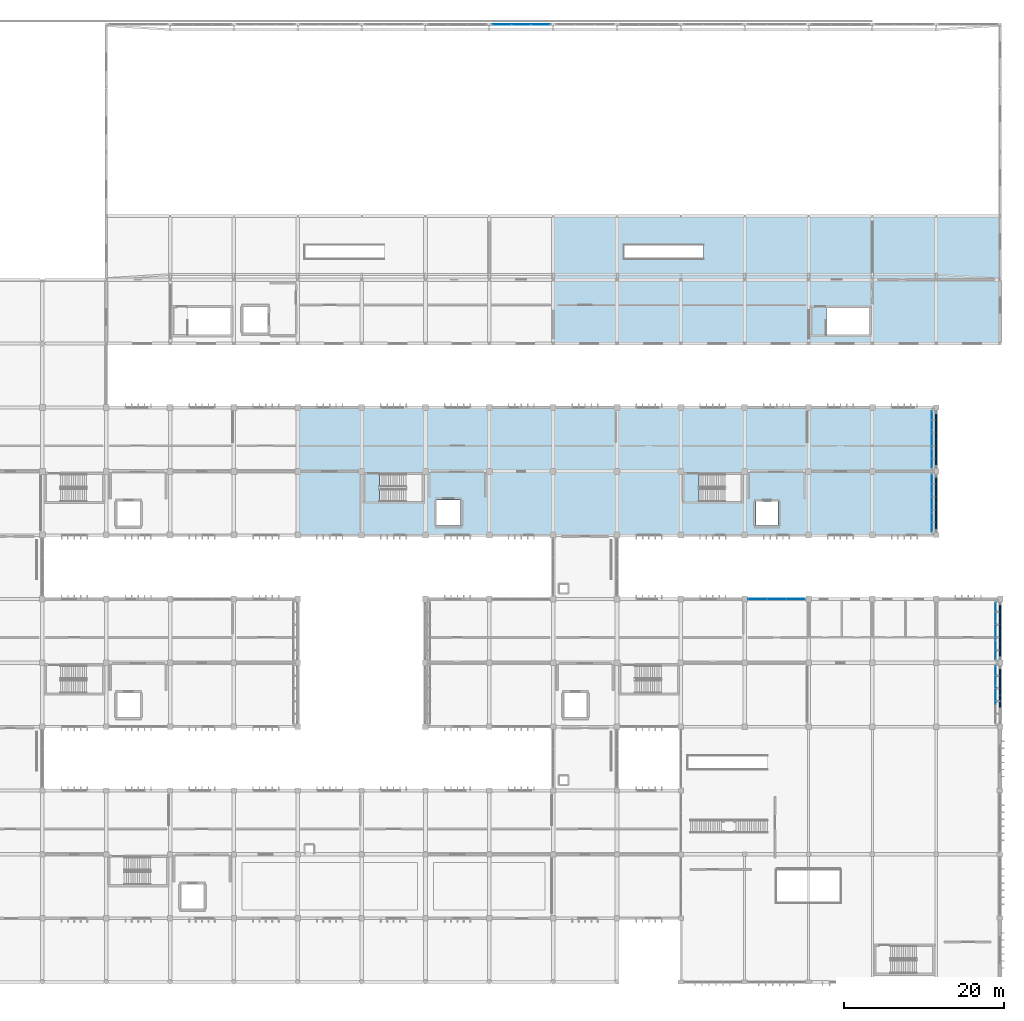
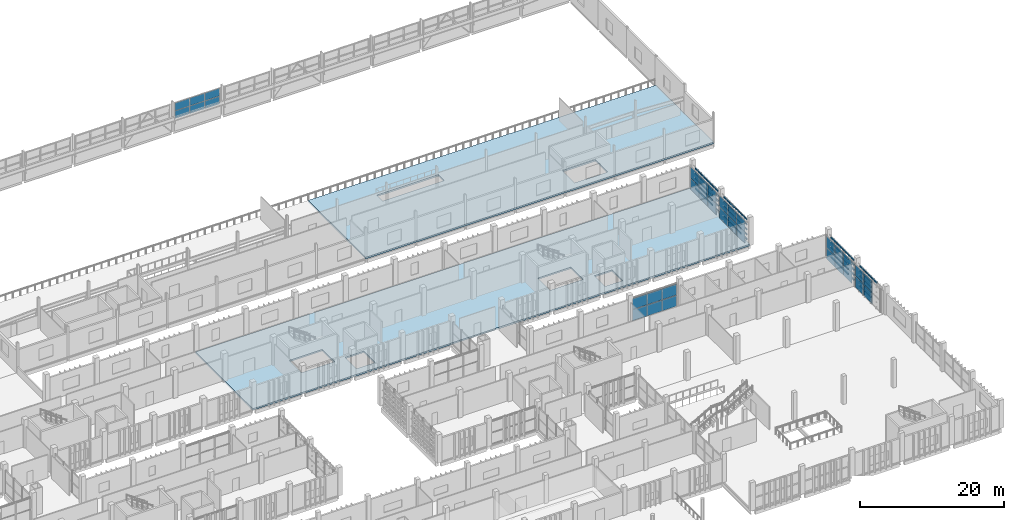
# One storey, part 75 of 106: 105 plates, 2 slabs, 6 elements without a shape of their own.
"""IFC4 building model written with IfcOpenShell, lengths in metres."""

from ifc_helpers import new_model, si_unit, direction, frame, origin, origin_2d, place, context, subcontext, project, spatial, polyline, rectangle, outline, extrude, material, layer, layer_set, type_object, element, aggregate, save


model = new_model("IFC4")

# Units and contexts
model_context = context("Model", 3, precision=1e-05, world=origin(), true_north=direction((0.0, 1.0)))
body_context = subcontext(model_context, "Body", "Model", "MODEL_VIEW")
ifc_project = project(units=[si_unit("LENGTHUNIT", "METRE"), si_unit("AREAUNIT", "SQUARE_METRE"), si_unit("VOLUMEUNIT", "CUBIC_METRE"), si_unit("PLANEANGLEUNIT", "RADIAN"), si_unit("MASSUNIT", "GRAM", prefix="KILO")], contexts=[model_context])

# Site, building, storey
site_placement = place(None, origin())
site = spatial("IfcSite", under=ifc_project, at=site_placement, CompositionType="ELEMENT")
building_placement = place(site_placement, origin())
building = spatial("IfcBuilding", under=site, at=building_placement, Name="Jelvoka-Kovrelna Polytechnic", CompositionType="ELEMENT")
storey_placement = place(building_placement, frame((0.0, 0.0, 4.800048828125)))
storey = spatial("IfcBuildingStorey", under=building, at=storey_placement, Name="L02", CompositionType="ELEMENT", Elevation=4.800048828125)

# Curtain wall, plates
ifc_material_1 = material(Name="Anodised aluminium 6063-T6", Category="aluminium")
ifc_layer_1 = layer(ifc_material_1, 0.159912109375)
ifc_layer_set_1 = layer_set([ifc_layer_1], Name="Anodised aluminium 6063-T6")
curtain_wall_type_1 = type_object("IfcCurtainWallType", Name="CW_Recessed_A", PredefinedType="NOTDEFINED", material=ifc_layer_set_1)
curtain_wall_1_placement = place(storey_placement, origin())
curtain_wall_1 = element("IfcCurtainWall", 1, at=curtain_wall_1_placement, inside=storey, type_object=curtain_wall_type_1, Name="L02 glazed curtain wall 049", PredefinedType="NOTDEFINED")
ifc_material_2 = material(Name="Solar-control double glazing", Category="glass")
ifc_layer_2 = layer(ifc_material_2, 0.028076171875)
ifc_layer_set_2 = layer_set([ifc_layer_2], Name="Solar-control double glazing")
plate_type_1 = type_object("IfcPlateType", Name="Panel_GP-01", PredefinedType="CURTAIN_PANEL", material=ifc_layer_set_2)
plate_1_placement = place(storey_placement, frame((169.614990234375, 48.0, 0.052001953125), z_axis=(0.0, 0.0, 1.0), x_axis=(1.0, 0.0, 0.0)))
plate_1 = element("IfcPlate", 2, at=plate_1_placement, type_object=plate_type_1, Name="CW-01 panel 1.1", PredefinedType="CURTAIN_PANEL", context=body_context, shape_type="SweptSolid", body=[
    extrude(rectangle(XDim=2.326171875, YDim=0.028076171875, at=origin_2d()), origin(), (0.0, 0.0, 1.0), 1.881103515625),
])
plate_2_placement = place(storey_placement, frame((169.614990234375, 48.0, 1.976806640625), z_axis=(0.0, 0.0, 1.0), x_axis=(1.0, 0.0, 0.0)))
plate_2 = element("IfcPlate", 3, at=plate_2_placement, type_object=plate_type_1, Name="CW-01 panel 1.2", PredefinedType="CURTAIN_PANEL", context=body_context, shape_type="SweptSolid", body=[
    extrude(rectangle(XDim=2.326171875, YDim=0.028076171875, at=origin_2d()), origin(), (0.0, 0.0, 1.0), 1.881103515625),
])
plate_3_placement = place(storey_placement, frame((172.0, 48.0, 0.052001953125), z_axis=(0.0, 0.0, 1.0), x_axis=(1.0, 0.0, 0.0)))
plate_3 = element("IfcPlate", 4, at=plate_3_placement, type_object=plate_type_1, Name="CW-01 panel 2.1", PredefinedType="CURTAIN_PANEL", context=body_context, shape_type="SweptSolid", body=[
    extrude(rectangle(XDim=2.356201171875, YDim=0.028076171875, at=origin_2d()), origin(), (0.0, 0.0, 1.0), 1.881103515625),
])
plate_4_placement = place(storey_placement, frame((172.0, 48.0, 1.976806640625), z_axis=(0.0, 0.0, 1.0), x_axis=(1.0, 0.0, 0.0)))
plate_4 = element("IfcPlate", 5, at=plate_4_placement, type_object=plate_type_1, Name="CW-01 panel 2.2", PredefinedType="CURTAIN_PANEL", context=body_context, shape_type="SweptSolid", body=[
    extrude(rectangle(XDim=2.356201171875, YDim=0.028076171875, at=origin_2d()), origin(), (0.0, 0.0, 1.0), 1.881103515625),
])
plate_5_placement = place(storey_placement, frame((174.385009765625, 48.0, 0.052001953125), z_axis=(0.0, 0.0, 1.0), x_axis=(1.0, 0.0, 0.0)))
plate_5 = element("IfcPlate", 6, at=plate_5_placement, type_object=plate_type_1, Name="CW-01 panel 3.1", PredefinedType="CURTAIN_PANEL", context=body_context, shape_type="SweptSolid", body=[
    extrude(rectangle(XDim=2.326171875, YDim=0.028076171875, at=origin_2d()), origin(), (0.0, 0.0, 1.0), 1.881103515625),
])
plate_6_placement = place(storey_placement, frame((174.385009765625, 48.0, 1.976806640625), z_axis=(0.0, 0.0, 1.0), x_axis=(1.0, 0.0, 0.0)))
plate_6 = element("IfcPlate", 7, at=plate_6_placement, type_object=plate_type_1, Name="CW-01 panel 3.2", PredefinedType="CURTAIN_PANEL", context=body_context, shape_type="SweptSolid", body=[
    extrude(rectangle(XDim=2.326171875, YDim=0.028076171875, at=origin_2d()), origin(), (0.0, 0.0, 1.0), 1.881103515625),
])
aggregate(curtain_wall_1, [plate_1, plate_2, plate_3, plate_4, plate_5, plate_6])

curtain_wall_2_placement = place(storey_placement, origin())
curtain_wall_2 = element("IfcCurtainWall", 8, at=curtain_wall_2_placement, inside=storey, type_object=curtain_wall_type_1, Name="L02 glazed curtain wall 052", PredefinedType="NOTDEFINED")
plate_7_placement = place(storey_placement, frame((199.43994140625, 38.385009765625, 0.052001953125), z_axis=(0.0, 0.0, 1.0), x_axis=(0.0, -1.0, 0.0)))
plate_7 = element("IfcPlate", 9, at=plate_7_placement, type_object=plate_type_1, Name="CW-01 panel 1.1", PredefinedType="CURTAIN_PANEL", context=body_context, shape_type="SweptSolid", body=[
    extrude(rectangle(XDim=2.326171875, YDim=0.028076171875, at=origin_2d()), origin(), (0.0, 0.0, 1.0), 1.901123046875),
])
plate_8_placement = place(storey_placement, frame((199.43994140625, 38.385009765625, 1.996826171875), z_axis=(0.0, 0.0, 1.0), x_axis=(0.0, -1.0, 0.0)))
plate_8 = element("IfcPlate", 10, at=plate_8_placement, type_object=plate_type_1, Name="CW-01 panel 1.2", PredefinedType="CURTAIN_PANEL", context=body_context, shape_type="SweptSolid", body=[
    extrude(rectangle(XDim=2.326171875, YDim=0.028076171875, at=origin_2d()), origin(), (0.0, 0.0, 1.0), 1.901123046875),
])
plate_9_placement = place(storey_placement, frame((199.43994140625, 36.0, 0.052001953125), z_axis=(0.0, 0.0, 1.0), x_axis=(0.0, -1.0, 0.0)))
plate_9 = element("IfcPlate", 11, at=plate_9_placement, type_object=plate_type_1, Name="CW-01 panel 2.1", PredefinedType="CURTAIN_PANEL", context=body_context, shape_type="SweptSolid", body=[
    extrude(rectangle(XDim=2.356201171875, YDim=0.028076171875, at=origin_2d()), origin(), (0.0, 0.0, 1.0), 1.901123046875),
])
plate_10_placement = place(storey_placement, frame((199.43994140625, 36.0, 1.996826171875), z_axis=(0.0, 0.0, 1.0), x_axis=(0.0, -1.0, 0.0)))
plate_10 = element("IfcPlate", 12, at=plate_10_placement, type_object=plate_type_1, Name="CW-01 panel 2.2", PredefinedType="CURTAIN_PANEL", context=body_context, shape_type="SweptSolid", body=[
    extrude(rectangle(XDim=2.356201171875, YDim=0.028076171875, at=origin_2d()), origin(), (0.0, 0.0, 1.0), 1.901123046875),
])
aggregate(curtain_wall_2, [plate_7, plate_8, plate_9, plate_10])

curtain_wall_3_placement = place(storey_placement, origin())
curtain_wall_3 = element("IfcCurtainWall", 13, at=curtain_wall_3_placement, inside=storey, type_object=curtain_wall_type_1, Name="L02 glazed curtain wall 053", PredefinedType="NOTDEFINED")
plate_11_placement = place(storey_placement, frame((199.43994140625, 46.385009765625, 0.052001953125), z_axis=(0.0, 0.0, 1.0), x_axis=(0.0, -1.0, 0.0)))
plate_11 = element("IfcPlate", 14, at=plate_11_placement, type_object=plate_type_1, Name="CW-01 panel 1.1", PredefinedType="CURTAIN_PANEL", context=body_context, shape_type="SweptSolid", body=[
    extrude(rectangle(XDim=2.326171875, YDim=0.028076171875, at=origin_2d()), origin(), (0.0, 0.0, 1.0), 1.901123046875),
])
plate_12_placement = place(storey_placement, frame((199.43994140625, 46.385009765625, 1.996826171875), z_axis=(0.0, 0.0, 1.0), x_axis=(0.0, -1.0, 0.0)))
plate_12 = element("IfcPlate", 15, at=plate_12_placement, type_object=plate_type_1, Name="CW-01 panel 1.2", PredefinedType="CURTAIN_PANEL", context=body_context, shape_type="SweptSolid", body=[
    extrude(rectangle(XDim=2.326171875, YDim=0.028076171875, at=origin_2d()), origin(), (0.0, 0.0, 1.0), 1.901123046875),
])
plate_13_placement = place(storey_placement, frame((199.43994140625, 44.0, 0.052001953125), z_axis=(0.0, 0.0, 1.0), x_axis=(0.0, -1.0, 0.0)))
plate_13 = element("IfcPlate", 16, at=plate_13_placement, type_object=plate_type_1, Name="CW-01 panel 2.1", PredefinedType="CURTAIN_PANEL", context=body_context, shape_type="SweptSolid", body=[
    extrude(rectangle(XDim=2.356201171875, YDim=0.028076171875, at=origin_2d()), origin(), (0.0, 0.0, 1.0), 1.901123046875),
])
plate_14_placement = place(storey_placement, frame((199.43994140625, 44.0, 1.996826171875), z_axis=(0.0, 0.0, 1.0), x_axis=(0.0, -1.0, 0.0)))
plate_14 = element("IfcPlate", 17, at=plate_14_placement, type_object=plate_type_1, Name="CW-01 panel 2.2", PredefinedType="CURTAIN_PANEL", context=body_context, shape_type="SweptSolid", body=[
    extrude(rectangle(XDim=2.356201171875, YDim=0.028076171875, at=origin_2d()), origin(), (0.0, 0.0, 1.0), 1.901123046875),
])
plate_15_placement = place(storey_placement, frame((199.43994140625, 41.614990234375, 0.052001953125), z_axis=(0.0, 0.0, 1.0), x_axis=(0.0, -1.0, 0.0)))
plate_15 = element("IfcPlate", 18, at=plate_15_placement, type_object=plate_type_1, Name="CW-01 panel 3.1", PredefinedType="CURTAIN_PANEL", context=body_context, shape_type="SweptSolid", body=[
    extrude(rectangle(XDim=2.326171875, YDim=0.028076171875, at=origin_2d()), origin(), (0.0, 0.0, 1.0), 1.901123046875),
])
plate_16_placement = place(storey_placement, frame((199.43994140625, 41.614990234375, 1.996826171875), z_axis=(0.0, 0.0, 1.0), x_axis=(0.0, -1.0, 0.0)))
plate_16 = element("IfcPlate", 19, at=plate_16_placement, type_object=plate_type_1, Name="CW-01 panel 3.2", PredefinedType="CURTAIN_PANEL", context=body_context, shape_type="SweptSolid", body=[
    extrude(rectangle(XDim=2.326171875, YDim=0.028076171875, at=origin_2d()), origin(), (0.0, 0.0, 1.0), 1.901123046875),
])
aggregate(curtain_wall_3, [plate_11, plate_12, plate_13, plate_14, plate_15, plate_16])

ifc_material_3 = material(Name="Anodised aluminium 6063-T6", Category="aluminium")
ifc_layer_3 = layer(ifc_material_3, 0.179931640625)
ifc_layer_set_3 = layer_set([ifc_layer_3], Name="Anodised aluminium 6063-T6")
curtain_wall_type_2 = type_object("IfcCurtainWallType", Name="CW_Recessed_B", PredefinedType="NOTDEFINED", material=ifc_layer_set_3)
curtain_wall_4_placement = place(storey_placement, origin())
curtain_wall_4 = element("IfcCurtainWall", 20, at=curtain_wall_4_placement, inside=storey, type_object=curtain_wall_type_2, Name="L02 glazed curtain wall 083", PredefinedType="NOTDEFINED")
ifc_material_4 = material(Name="Solar-control double glazing", Category="glass")
ifc_layer_4 = layer(ifc_material_4, 0.031982421875)
ifc_layer_set_4 = layer_set([ifc_layer_4], Name="Solar-control double glazing")
plate_type_2 = type_object("IfcPlateType", Name="Panel_GP-02", PredefinedType="CURTAIN_PANEL", material=ifc_layer_set_4)
plate_17_placement = place(storey_placement, frame((191.43994140625, 62.3837890625, 0.056884765625), z_axis=(0.0, 0.0, 1.0), x_axis=(0.0, -1.0, 0.0)))
plate_17 = element("IfcPlate", 21, at=plate_17_placement, type_object=plate_type_2, Name="CW-02 panel 1.1", PredefinedType="CURTAIN_PANEL", context=body_context, shape_type="SweptSolid", body=[
    extrude(rectangle(XDim=2.318603515625, YDim=0.031982421875, at=origin_2d()), origin(), (0.0, 0.0, 1.0), 1.8935546875),
])
plate_18_placement = place(storey_placement, frame((191.43994140625, 62.3837890625, 1.99951171875), z_axis=(0.0, 0.0, 1.0), x_axis=(0.0, -1.0, 0.0)))
plate_18 = element("IfcPlate", 22, at=plate_18_placement, type_object=plate_type_2, Name="CW-02 panel 1.2", PredefinedType="CURTAIN_PANEL", context=body_context, shape_type="SweptSolid", body=[
    extrude(rectangle(XDim=2.318603515625, YDim=0.031982421875, at=origin_2d()), origin(), (0.0, 0.0, 1.0), 1.8935546875),
])
plate_19_placement = place(storey_placement, frame((191.43994140625, 60.0, 0.056884765625), z_axis=(0.0, 0.0, 1.0), x_axis=(0.0, -1.0, 0.0)))
plate_19 = element("IfcPlate", 23, at=plate_19_placement, type_object=plate_type_2, Name="CW-02 panel 2.1", PredefinedType="CURTAIN_PANEL", context=body_context, shape_type="SweptSolid", body=[
    extrude(rectangle(XDim=2.35107421875, YDim=0.031982421875, at=origin_2d()), origin(), (0.0, 0.0, 1.0), 1.8935546875),
])
plate_20_placement = place(storey_placement, frame((191.43994140625, 60.0, 1.99951171875), z_axis=(0.0, 0.0, 1.0), x_axis=(0.0, -1.0, 0.0)))
plate_20 = element("IfcPlate", 24, at=plate_20_placement, type_object=plate_type_2, Name="CW-02 panel 2.2", PredefinedType="CURTAIN_PANEL", context=body_context, shape_type="SweptSolid", body=[
    extrude(rectangle(XDim=2.35107421875, YDim=0.031982421875, at=origin_2d()), origin(), (0.0, 0.0, 1.0), 1.8935546875),
])
plate_21_placement = place(storey_placement, frame((191.43994140625, 57.6162109375, 0.056884765625), z_axis=(0.0, 0.0, 1.0), x_axis=(0.0, -1.0, 0.0)))
plate_21 = element("IfcPlate", 25, at=plate_21_placement, type_object=plate_type_2, Name="CW-02 panel 3.1", PredefinedType="CURTAIN_PANEL", context=body_context, shape_type="SweptSolid", body=[
    extrude(rectangle(XDim=2.318603515625, YDim=0.031982421875, at=origin_2d()), origin(), (0.0, 0.0, 1.0), 1.8935546875),
])
plate_22_placement = place(storey_placement, frame((191.43994140625, 57.6162109375, 1.99951171875), z_axis=(0.0, 0.0, 1.0), x_axis=(0.0, -1.0, 0.0)))
plate_22 = element("IfcPlate", 26, at=plate_22_placement, type_object=plate_type_2, Name="CW-02 panel 3.2", PredefinedType="CURTAIN_PANEL", context=body_context, shape_type="SweptSolid", body=[
    extrude(rectangle(XDim=2.318603515625, YDim=0.031982421875, at=origin_2d()), origin(), (0.0, 0.0, 1.0), 1.8935546875),
])
aggregate(curtain_wall_4, [plate_17, plate_18, plate_19, plate_20, plate_21, plate_22])

curtain_wall_5_placement = place(storey_placement, origin())
curtain_wall_5 = element("IfcCurtainWall", 27, at=curtain_wall_5_placement, inside=storey, type_object=curtain_wall_type_2, Name="L02 glazed curtain wall 084", PredefinedType="NOTDEFINED")
plate_23_placement = place(storey_placement, frame((191.43994140625, 70.3837890625, 0.056884765625), z_axis=(0.0, 0.0, 1.0), x_axis=(0.0, -1.0, 0.0)))
plate_23 = element("IfcPlate", 28, at=plate_23_placement, type_object=plate_type_2, Name="CW-02 panel 1.1", PredefinedType="CURTAIN_PANEL", context=body_context, shape_type="SweptSolid", body=[
    extrude(rectangle(XDim=2.318603515625, YDim=0.031982421875, at=origin_2d()), origin(), (0.0, 0.0, 1.0), 1.8935546875),
])
plate_24_placement = place(storey_placement, frame((191.43994140625, 70.3837890625, 1.99951171875), z_axis=(0.0, 0.0, 1.0), x_axis=(0.0, -1.0, 0.0)))
plate_24 = element("IfcPlate", 29, at=plate_24_placement, type_object=plate_type_2, Name="CW-02 panel 1.2", PredefinedType="CURTAIN_PANEL", context=body_context, shape_type="SweptSolid", body=[
    extrude(rectangle(XDim=2.318603515625, YDim=0.031982421875, at=origin_2d()), origin(), (0.0, 0.0, 1.0), 1.8935546875),
])
plate_25_placement = place(storey_placement, frame((191.43994140625, 68.0, 0.056884765625), z_axis=(0.0, 0.0, 1.0), x_axis=(0.0, -1.0, 0.0)))
plate_25 = element("IfcPlate", 30, at=plate_25_placement, type_object=plate_type_2, Name="CW-02 panel 2.1", PredefinedType="CURTAIN_PANEL", context=body_context, shape_type="SweptSolid", body=[
    extrude(rectangle(XDim=2.35107421875, YDim=0.031982421875, at=origin_2d()), origin(), (0.0, 0.0, 1.0), 1.8935546875),
])
plate_26_placement = place(storey_placement, frame((191.43994140625, 68.0, 1.99951171875), z_axis=(0.0, 0.0, 1.0), x_axis=(0.0, -1.0, 0.0)))
plate_26 = element("IfcPlate", 31, at=plate_26_placement, type_object=plate_type_2, Name="CW-02 panel 2.2", PredefinedType="CURTAIN_PANEL", context=body_context, shape_type="SweptSolid", body=[
    extrude(rectangle(XDim=2.35107421875, YDim=0.031982421875, at=origin_2d()), origin(), (0.0, 0.0, 1.0), 1.8935546875),
])
plate_27_placement = place(storey_placement, frame((191.43994140625, 65.6162109375, 0.056884765625), z_axis=(0.0, 0.0, 1.0), x_axis=(0.0, -1.0, 0.0)))
plate_27 = element("IfcPlate", 32, at=plate_27_placement, type_object=plate_type_2, Name="CW-02 panel 3.1", PredefinedType="CURTAIN_PANEL", context=body_context, shape_type="SweptSolid", body=[
    extrude(rectangle(XDim=2.318603515625, YDim=0.031982421875, at=origin_2d()), origin(), (0.0, 0.0, 1.0), 1.8935546875),
])
plate_28_placement = place(storey_placement, frame((191.43994140625, 65.6162109375, 1.99951171875), z_axis=(0.0, 0.0, 1.0), x_axis=(0.0, -1.0, 0.0)))
plate_28 = element("IfcPlate", 33, at=plate_28_placement, type_object=plate_type_2, Name="CW-02 panel 3.2", PredefinedType="CURTAIN_PANEL", context=body_context, shape_type="SweptSolid", body=[
    extrude(rectangle(XDim=2.318603515625, YDim=0.031982421875, at=origin_2d()), origin(), (0.0, 0.0, 1.0), 1.8935546875),
])
aggregate(curtain_wall_5, [plate_23, plate_24, plate_25, plate_26, plate_27, plate_28])

ifc_material_5 = material(Name="Anodised aluminium 6063-T6", Category="aluminium")
ifc_layer_5 = layer(ifc_material_5, 0.199951171875)
ifc_layer_set_5 = layer_set([ifc_layer_5], Name="Anodised aluminium 6063-T6")
curtain_wall_type_3 = type_object("IfcCurtainWallType", Name="CW_Clerestory", PredefinedType="NOTDEFINED", material=ifc_layer_set_5)
curtain_wall_6_placement = place(storey_placement, origin())
curtain_wall_6 = element("IfcCurtainWall", 34, at=curtain_wall_6_placement, inside=storey, type_object=curtain_wall_type_3, Name="L02 glazed curtain wall 175", PredefinedType="NOTDEFINED")
ifc_material_6 = material(Name="Solar-control double glazing", Category="glass")
ifc_layer_6 = layer(ifc_material_6, 0.035888671875)
ifc_layer_set_6 = layer_set([ifc_layer_6], Name="Solar-control double glazing")
plate_type_3 = type_object("IfcPlateType", Name="Panel_GP-03", PredefinedType="CURTAIN_PANEL", material=ifc_layer_set_6)
plate_29_placement = place(storey_placement, frame((137.5908203125, 120.0, 2.011962890625), z_axis=(0.0, 0.0, 1.0), x_axis=(1.0, 0.0, 0.0)))
plate_29 = element("IfcPlate", 35, at=plate_29_placement, type_object=plate_type_3, Name="CW-03 panel 1.1", PredefinedType="CURTAIN_PANEL", context=body_context, shape_type="SweptSolid", body=[
    extrude(rectangle(XDim=2.337890625, YDim=0.035888671875, at=origin_2d()), origin(), (0.0, 0.0, 1.0), 1.296142578125),
])
plate_30_placement = place(storey_placement, frame((137.5908203125, 120.0, 3.362060546875), z_axis=(0.0, 0.0, 1.0), x_axis=(1.0, 0.0, 0.0)))
plate_30 = element("IfcPlate", 36, at=plate_30_placement, type_object=plate_type_3, Name="CW-03 panel 1.2", PredefinedType="CURTAIN_PANEL", context=body_context, shape_type="SweptSolid", body=[
    extrude(rectangle(XDim=2.337890625, YDim=0.035888671875, at=origin_2d()), origin(), (0.0, 0.0, 1.0), 1.296142578125),
])
plate_31_placement = place(storey_placement, frame((140.0, 120.0, 2.011962890625), z_axis=(0.0, 0.0, 1.0), x_axis=(1.0, 0.0, 0.0)))
plate_31 = element("IfcPlate", 37, at=plate_31_placement, type_object=plate_type_3, Name="CW-03 panel 2.1", PredefinedType="CURTAIN_PANEL", context=body_context, shape_type="SweptSolid", body=[
    extrude(rectangle(XDim=2.372802734375, YDim=0.035888671875, at=origin_2d()), origin(), (0.0, 0.0, 1.0), 1.296142578125),
])
plate_32_placement = place(storey_placement, frame((140.0, 120.0, 3.362060546875), z_axis=(0.0, 0.0, 1.0), x_axis=(1.0, 0.0, 0.0)))
plate_32 = element("IfcPlate", 38, at=plate_32_placement, type_object=plate_type_3, Name="CW-03 panel 2.2", PredefinedType="CURTAIN_PANEL", context=body_context, shape_type="SweptSolid", body=[
    extrude(rectangle(XDim=2.372802734375, YDim=0.035888671875, at=origin_2d()), origin(), (0.0, 0.0, 1.0), 1.296142578125),
])
plate_33_placement = place(storey_placement, frame((142.4091796875, 120.0, 2.011962890625), z_axis=(0.0, 0.0, 1.0), x_axis=(1.0, 0.0, 0.0)))
plate_33 = element("IfcPlate", 39, at=plate_33_placement, type_object=plate_type_3, Name="CW-03 panel 3.1", PredefinedType="CURTAIN_PANEL", context=body_context, shape_type="SweptSolid", body=[
    extrude(rectangle(XDim=2.337890625, YDim=0.035888671875, at=origin_2d()), origin(), (0.0, 0.0, 1.0), 1.296142578125),
])
plate_34_placement = place(storey_placement, frame((142.4091796875, 120.0, 3.362060546875), z_axis=(0.0, 0.0, 1.0), x_axis=(1.0, 0.0, 0.0)))
plate_34 = element("IfcPlate", 40, at=plate_34_placement, type_object=plate_type_3, Name="CW-03 panel 3.2", PredefinedType="CURTAIN_PANEL", context=body_context, shape_type="SweptSolid", body=[
    extrude(rectangle(XDim=2.337890625, YDim=0.035888671875, at=origin_2d()), origin(), (0.0, 0.0, 1.0), 1.296142578125),
])
aggregate(curtain_wall_6, [plate_29, plate_30, plate_31, plate_32, plate_33, plate_34])

# Plates
ifc_material_7 = material(Name="Perforated fired terracotta block", Category="masonry")
ifc_layer_7 = layer(ifc_material_7, 0.179931640625)
ifc_layer_set_7 = layer_set([ifc_layer_7], Name="Perforated fired terracotta block")
plate_type_4 = type_object("IfcPlateType", Name="Screen_Terracotta_TP02", PredefinedType="USERDEFINED", material=ifc_layer_set_7)
for number, where, z_axis, x_axis, name in (
    (41, (199.97998046875, 35.199951171875, 3.56982421875), (0.0, 0.0, 1.0), (0.0, 1.0, 0.0), "L02 perforated terracotta lattice band 0550"),
    (42, (199.97998046875, 36.800048828125, 0.2001953125), (0.0, 0.0, 1.0), (0.0, 1.0, 0.0), "L02 perforated terracotta lattice band 0551"),
    (43, (199.97998046875, 36.800048828125, 1.04248046875), (0.0, 0.0, 1.0), (0.0, 1.0, 0.0), "L02 perforated terracotta lattice band 0552"),
    (44, (199.97998046875, 36.800048828125, 1.884765625), (0.0, 0.0, 1.0), (0.0, 1.0, 0.0), "L02 perforated terracotta lattice band 0553"),
    (45, (199.97998046875, 36.800048828125, 2.7275390625), (0.0, 0.0, 1.0), (0.0, 1.0, 0.0), "L02 perforated terracotta lattice band 0554"),
    (46, (199.97998046875, 36.800048828125, 3.56982421875), (0.0, 0.0, 1.0), (0.0, 1.0, 0.0), "L02 perforated terracotta lattice band 0555"),
    (47, (199.97998046875, 38.39990234375, 0.2001953125), (0.0, 0.0, 1.0), (0.0, 1.0, 0.0), "L02 perforated terracotta lattice band 0556"),
    (48, (199.97998046875, 38.39990234375, 1.04248046875), (0.0, 0.0, 1.0), (0.0, 1.0, 0.0), "L02 perforated terracotta lattice band 0557"),
    (49, (199.97998046875, 38.39990234375, 1.884765625), (0.0, 0.0, 1.0), (0.0, 1.0, 0.0), "L02 perforated terracotta lattice band 0558"),
    (50, (199.97998046875, 38.39990234375, 2.7275390625), (0.0, 0.0, 1.0), (0.0, 1.0, 0.0), "L02 perforated terracotta lattice band 0559"),
    (51, (199.97998046875, 38.39990234375, 3.56982421875), (0.0, 0.0, 1.0), (0.0, 1.0, 0.0), "L02 perforated terracotta lattice band 0560"),
    (52, (199.97998046875, 41.60009765625, 0.2001953125), (0.0, 0.0, 1.0), (0.0, 1.0, 0.0), "L02 perforated terracotta lattice band 0561"),
    (53, (199.97998046875, 41.60009765625, 1.04248046875), (0.0, 0.0, 1.0), (0.0, 1.0, 0.0), "L02 perforated terracotta lattice band 0562"),
    (54, (199.97998046875, 41.60009765625, 1.884765625), (0.0, 0.0, 1.0), (0.0, 1.0, 0.0), "L02 perforated terracotta lattice band 0563"),
    (55, (199.97998046875, 41.60009765625, 2.7275390625), (0.0, 0.0, 1.0), (0.0, 1.0, 0.0), "L02 perforated terracotta lattice band 0564"),
    (56, (199.97998046875, 41.60009765625, 3.56982421875), (0.0, 0.0, 1.0), (0.0, 1.0, 0.0), "L02 perforated terracotta lattice band 0565"),
    (57, (199.97998046875, 43.199951171875, 0.2001953125), (0.0, 0.0, 1.0), (0.0, 1.0, 0.0), "L02 perforated terracotta lattice band 0566"),
    (58, (199.97998046875, 43.199951171875, 1.04248046875), (0.0, 0.0, 1.0), (0.0, 1.0, 0.0), "L02 perforated terracotta lattice band 0567"),
    (59, (199.97998046875, 43.199951171875, 1.884765625), (0.0, 0.0, 1.0), (0.0, 1.0, 0.0), "L02 perforated terracotta lattice band 0568"),
    (60, (199.97998046875, 43.199951171875, 2.7275390625), (0.0, 0.0, 1.0), (0.0, 1.0, 0.0), "L02 perforated terracotta lattice band 0569"),
    (61, (199.97998046875, 43.199951171875, 3.56982421875), (0.0, 0.0, 1.0), (0.0, 1.0, 0.0), "L02 perforated terracotta lattice band 0570"),
    (62, (199.97998046875, 44.800048828125, 0.2001953125), (0.0, 0.0, 1.0), (0.0, 1.0, 0.0), "L02 perforated terracotta lattice band 0571"),
    (63, (199.97998046875, 44.800048828125, 1.04248046875), (0.0, 0.0, 1.0), (0.0, 1.0, 0.0), "L02 perforated terracotta lattice band 0572"),
    (64, (199.97998046875, 44.800048828125, 1.884765625), (0.0, 0.0, 1.0), (0.0, 1.0, 0.0), "L02 perforated terracotta lattice band 0573"),
    (65, (199.97998046875, 44.800048828125, 2.7275390625), (0.0, 0.0, 1.0), (0.0, 1.0, 0.0), "L02 perforated terracotta lattice band 0574"),
    (66, (199.97998046875, 44.800048828125, 3.56982421875), (0.0, 0.0, 1.0), (0.0, 1.0, 0.0), "L02 perforated terracotta lattice band 0575"),
    (67, (199.97998046875, 46.39990234375, 0.2001953125), (0.0, 0.0, 1.0), (0.0, 1.0, 0.0), "L02 perforated terracotta lattice band 0576"),
    (68, (199.97998046875, 46.39990234375, 1.04248046875), (0.0, 0.0, 1.0), (0.0, 1.0, 0.0), "L02 perforated terracotta lattice band 0577"),
    (69, (199.97998046875, 46.39990234375, 1.884765625), (0.0, 0.0, 1.0), (0.0, 1.0, 0.0), "L02 perforated terracotta lattice band 0578"),
    (70, (199.97998046875, 46.39990234375, 2.7275390625), (0.0, 0.0, 1.0), (0.0, 1.0, 0.0), "L02 perforated terracotta lattice band 0579"),
    (71, (199.97998046875, 46.39990234375, 3.56982421875), (0.0, 0.0, 1.0), (0.0, 1.0, 0.0), "L02 perforated terracotta lattice band 0580"),
):
    element("IfcPlate", number, at=place(storey_placement, frame(where, z_axis=z_axis, x_axis=x_axis)), inside=storey, type_object=plate_type_4, Name=name, ObjectType="SCREEN PANEL", PredefinedType="USERDEFINED", context=body_context, shape_type="SweptSolid", body=[
        extrude(rectangle(XDim=1.60009765625, YDim=0.179931640625, at=origin_2d()), origin(), (0.0, 0.0, 1.0), 0.239990234375),
    ])
ifc_material_8 = material(Name="Perforated fired terracotta block", Category="masonry")
ifc_layer_8 = layer(ifc_material_8, 0.14990234375)
ifc_layer_set_8 = layer_set([ifc_layer_8], Name="Perforated fired terracotta block")
plate_type_5 = type_object("IfcPlateType", Name="Screen_Terracotta_TP03", PredefinedType="USERDEFINED", material=ifc_layer_set_8)
for number, where, z_axis, x_axis, name in (
    (72, (191.97998046875, 57.60009765625, 0.18994140625), (0.0, 0.0, 1.0), (0.0, 1.0, 0.0), "L02 perforated terracotta lattice band 1001"),
    (73, (191.97998046875, 57.60009765625, 1.0322265625), (0.0, 0.0, 1.0), (0.0, 1.0, 0.0), "L02 perforated terracotta lattice band 1002"),
    (74, (191.97998046875, 57.60009765625, 1.875), (0.0, 0.0, 1.0), (0.0, 1.0, 0.0), "L02 perforated terracotta lattice band 1003"),
    (75, (191.97998046875, 57.60009765625, 2.71728515625), (0.0, 0.0, 1.0), (0.0, 1.0, 0.0), "L02 perforated terracotta lattice band 1004"),
    (76, (191.97998046875, 57.60009765625, 3.56005859375), (0.0, 0.0, 1.0), (0.0, 1.0, 0.0), "L02 perforated terracotta lattice band 1005"),
    (77, (191.97998046875, 59.199951171875, 0.18994140625), (0.0, 0.0, 1.0), (0.0, 1.0, 0.0), "L02 perforated terracotta lattice band 1006"),
    (78, (191.97998046875, 59.199951171875, 1.0322265625), (0.0, 0.0, 1.0), (0.0, 1.0, 0.0), "L02 perforated terracotta lattice band 1007"),
    (79, (191.97998046875, 59.199951171875, 1.875), (0.0, 0.0, 1.0), (0.0, 1.0, 0.0), "L02 perforated terracotta lattice band 1008"),
    (80, (191.97998046875, 59.199951171875, 2.71728515625), (0.0, 0.0, 1.0), (0.0, 1.0, 0.0), "L02 perforated terracotta lattice band 1009"),
    (81, (191.97998046875, 59.199951171875, 3.56005859375), (0.0, 0.0, 1.0), (0.0, 1.0, 0.0), "L02 perforated terracotta lattice band 1010"),
    (82, (191.97998046875, 60.800048828125, 0.18994140625), (0.0, 0.0, 1.0), (0.0, 1.0, 0.0), "L02 perforated terracotta lattice band 1011"),
    (83, (191.97998046875, 60.800048828125, 1.0322265625), (0.0, 0.0, 1.0), (0.0, 1.0, 0.0), "L02 perforated terracotta lattice band 1012"),
    (84, (191.97998046875, 60.800048828125, 1.875), (0.0, 0.0, 1.0), (0.0, 1.0, 0.0), "L02 perforated terracotta lattice band 1013"),
    (85, (191.97998046875, 60.800048828125, 2.71728515625), (0.0, 0.0, 1.0), (0.0, 1.0, 0.0), "L02 perforated terracotta lattice band 1014"),
    (86, (191.97998046875, 60.800048828125, 3.56005859375), (0.0, 0.0, 1.0), (0.0, 1.0, 0.0), "L02 perforated terracotta lattice band 1015"),
    (87, (191.97998046875, 62.39990234375, 0.18994140625), (0.0, 0.0, 1.0), (0.0, 1.0, 0.0), "L02 perforated terracotta lattice band 1016"),
    (88, (191.97998046875, 62.39990234375, 1.0322265625), (0.0, 0.0, 1.0), (0.0, 1.0, 0.0), "L02 perforated terracotta lattice band 1017"),
    (89, (191.97998046875, 62.39990234375, 1.875), (0.0, 0.0, 1.0), (0.0, 1.0, 0.0), "L02 perforated terracotta lattice band 1018"),
    (90, (191.97998046875, 62.39990234375, 2.71728515625), (0.0, 0.0, 1.0), (0.0, 1.0, 0.0), "L02 perforated terracotta lattice band 1019"),
    (91, (191.97998046875, 62.39990234375, 3.56005859375), (0.0, 0.0, 1.0), (0.0, 1.0, 0.0), "L02 perforated terracotta lattice band 1020"),
    (92, (191.97998046875, 65.60009765625, 0.18994140625), (0.0, 0.0, 1.0), (0.0, 1.0, 0.0), "L02 perforated terracotta lattice band 1021"),
    (93, (191.97998046875, 65.60009765625, 1.0322265625), (0.0, 0.0, 1.0), (0.0, 1.0, 0.0), "L02 perforated terracotta lattice band 1022"),
    (94, (191.97998046875, 65.60009765625, 1.875), (0.0, 0.0, 1.0), (0.0, 1.0, 0.0), "L02 perforated terracotta lattice band 1023"),
    (95, (191.97998046875, 65.60009765625, 2.71728515625), (0.0, 0.0, 1.0), (0.0, 1.0, 0.0), "L02 perforated terracotta lattice band 1024"),
    (96, (191.97998046875, 65.60009765625, 3.56005859375), (0.0, 0.0, 1.0), (0.0, 1.0, 0.0), "L02 perforated terracotta lattice band 1025"),
    (97, (191.97998046875, 67.199951171875, 0.18994140625), (0.0, 0.0, 1.0), (0.0, 1.0, 0.0), "L02 perforated terracotta lattice band 1026"),
    (98, (191.97998046875, 67.199951171875, 1.0322265625), (0.0, 0.0, 1.0), (0.0, 1.0, 0.0), "L02 perforated terracotta lattice band 1027"),
    (99, (191.97998046875, 67.199951171875, 1.875), (0.0, 0.0, 1.0), (0.0, 1.0, 0.0), "L02 perforated terracotta lattice band 1028"),
    (100, (191.97998046875, 67.199951171875, 2.71728515625), (0.0, 0.0, 1.0), (0.0, 1.0, 0.0), "L02 perforated terracotta lattice band 1029"),
    (101, (191.97998046875, 67.199951171875, 3.56005859375), (0.0, 0.0, 1.0), (0.0, 1.0, 0.0), "L02 perforated terracotta lattice band 1030"),
    (102, (191.97998046875, 68.800048828125, 0.18994140625), (0.0, 0.0, 1.0), (0.0, 1.0, 0.0), "L02 perforated terracotta lattice band 1031"),
    (103, (191.97998046875, 68.800048828125, 1.0322265625), (0.0, 0.0, 1.0), (0.0, 1.0, 0.0), "L02 perforated terracotta lattice band 1032"),
    (104, (191.97998046875, 68.800048828125, 1.875), (0.0, 0.0, 1.0), (0.0, 1.0, 0.0), "L02 perforated terracotta lattice band 1033"),
    (105, (191.97998046875, 68.800048828125, 2.71728515625), (0.0, 0.0, 1.0), (0.0, 1.0, 0.0), "L02 perforated terracotta lattice band 1034"),
    (106, (191.97998046875, 68.800048828125, 3.56005859375), (0.0, 0.0, 1.0), (0.0, 1.0, 0.0), "L02 perforated terracotta lattice band 1035"),
    (107, (191.97998046875, 70.39990234375, 0.18994140625), (0.0, 0.0, 1.0), (0.0, 1.0, 0.0), "L02 perforated terracotta lattice band 1036"),
    (108, (191.97998046875, 70.39990234375, 1.0322265625), (0.0, 0.0, 1.0), (0.0, 1.0, 0.0), "L02 perforated terracotta lattice band 1037"),
    (109, (191.97998046875, 70.39990234375, 1.875), (0.0, 0.0, 1.0), (0.0, 1.0, 0.0), "L02 perforated terracotta lattice band 1038"),
    (110, (191.97998046875, 70.39990234375, 2.71728515625), (0.0, 0.0, 1.0), (0.0, 1.0, 0.0), "L02 perforated terracotta lattice band 1039"),
    (111, (191.97998046875, 70.39990234375, 3.56005859375), (0.0, 0.0, 1.0), (0.0, 1.0, 0.0), "L02 perforated terracotta lattice band 1040"),
):
    element("IfcPlate", number, at=place(storey_placement, frame(where, z_axis=z_axis, x_axis=x_axis)), inside=storey, type_object=plate_type_5, Name=name, ObjectType="SCREEN PANEL", PredefinedType="USERDEFINED", context=body_context, shape_type="SweptSolid", body=[
        extrude(rectangle(XDim=1.56005859375, YDim=0.14990234375, at=origin_2d()), origin(), (0.0, 0.0, 1.0), 0.260009765625),
    ])

# Slabs
ifc_material_9 = material(Name="Concrete C35/45", Category="concrete")
ifc_layer_9 = layer(ifc_material_9, 0.264892578125)
ifc_layer_set_9 = layer_set([ifc_layer_9], Name="Concrete C35/45")
slab_type_1 = type_object("IfcSlabType", Name="Slab_Floor_265", PredefinedType="FLOOR", material=ifc_layer_set_9)
slab_1_placement = place(storey_placement, frame((0.0, 0.0, -0.26513671875)))
element("IfcSlab", 112, at=slab_1_placement, inside=storey, type_object=slab_type_1, Name="L02 B3E structural slab", PredefinedType="FLOOR", context=body_context, shape_type="SweptSolid", body=[
    extrude(outline(polyline([(112.0, 56.0), (192.0, 56.0), (192.0, 72.0), (112.0, 72.0), (112.0, 56.0)]), holes=[polyline([(169.39990234375, 57.199951171875), (172.199951171875, 57.199951171875), (172.199951171875, 60.199951171875), (169.39990234375, 60.199951171875), (169.39990234375, 57.199951171875)]), polyline([(129.39990234375, 57.199951171875), (132.39990234375, 57.199951171875), (132.39990234375, 60.39990234375), (129.39990234375, 60.39990234375), (129.39990234375, 57.199951171875)]), polyline([(162.264892578125, 60.199951171875), (167.60009765625, 60.199951171875), (167.60009765625, 63.639892578125), (162.264892578125, 63.639892578125), (162.264892578125, 60.199951171875)]), polyline([(122.264892578125, 60.199951171875), (127.60009765625, 60.199951171875), (127.60009765625, 63.639892578125), (122.264892578125, 63.639892578125), (122.264892578125, 60.199951171875)])]), origin(), (0.0, 0.0, 1.0), 0.26513671875),
])
ifc_material_10 = material(Name="Concrete C35/45", Category="concrete")
ifc_layer_10 = layer(ifc_material_10, 0.280029296875)
ifc_layer_set_10 = layer_set([ifc_layer_10], Name="Concrete C35/45")
slab_type_2 = type_object("IfcSlabType", Name="Slab_Floor_280", PredefinedType="FLOOR", material=ifc_layer_set_10)
slab_2_placement = place(storey_placement, frame((0.0, 0.0, -0.280029296875)))
element("IfcSlab", 113, at=slab_2_placement, inside=storey, type_object=slab_type_2, Name="L02 V1ME structural slab", PredefinedType="FLOOR", context=body_context, shape_type="SweptSolid", body=[
    extrude(outline(polyline([(144.0, 80.0), (200.0, 80.0), (200.0, 96.0), (144.0, 96.0), (144.0, 80.0)]), holes=[polyline([(178.264892578125, 81.10009765625), (183.60009765625, 81.10009765625), (183.60009765625, 84.5400390625), (178.264892578125, 84.5400390625), (178.264892578125, 81.10009765625)]), polyline([(152.89990234375, 90.675048828125), (162.824951171875, 90.675048828125), (162.824951171875, 92.324951171875), (152.89990234375, 92.324951171875), (152.89990234375, 90.675048828125)])]), origin(), (0.0, 0.0, 1.0), 0.280029296875),
])

save(model, "model.ifc")
